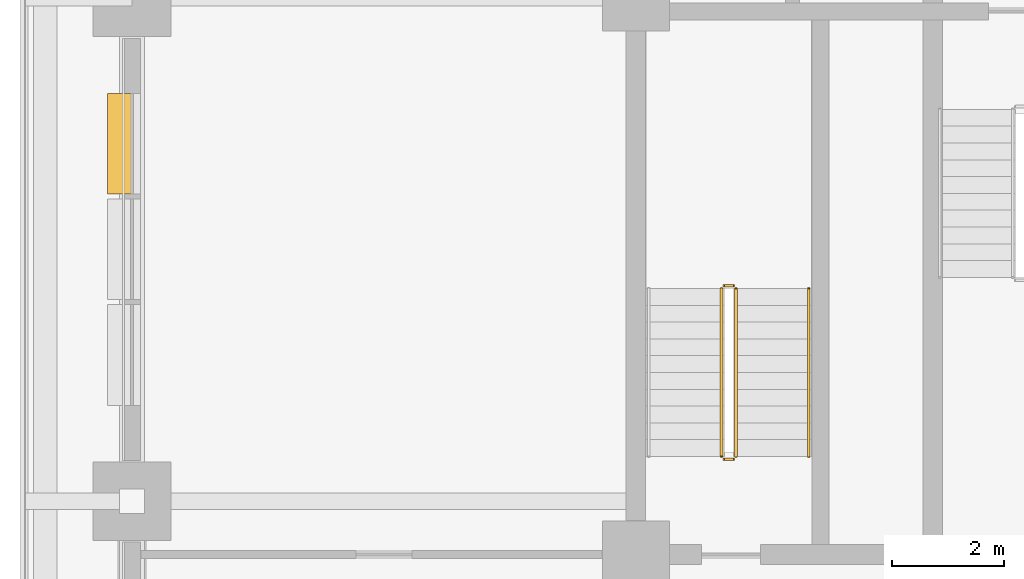
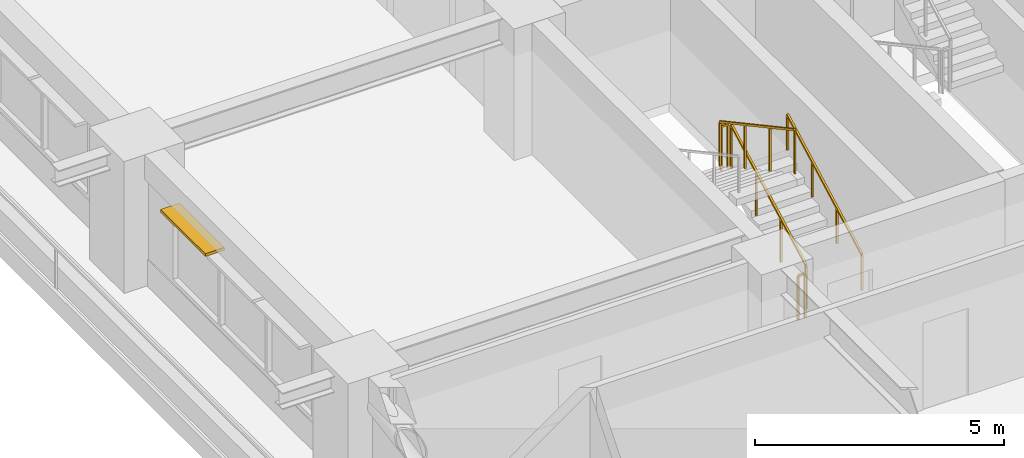
# One storey, part 9 of 16: 5 railings, 1 shading device.
"""IFC4 building model written with IfcOpenShell, lengths in metres."""

from ifc_helpers import new_model, si_unit, direction, frame, frame_2d, origin, origin_2d, place, context, subcontext, project, spatial, rectangle, extrude, material, layer, layer_set, type_object, element, save


model = new_model("IFC4")

# Units and contexts
model_context = context("Model", 3, precision=1e-05, world=origin(), true_north=direction((0.0, 1.0)))
body_context = subcontext(model_context, "Body", "Model", "MODEL_VIEW")
ifc_project = project(units=[si_unit("LENGTHUNIT", "METRE"), si_unit("AREAUNIT", "SQUARE_METRE"), si_unit("VOLUMEUNIT", "CUBIC_METRE"), si_unit("PLANEANGLEUNIT", "RADIAN"), si_unit("MASSUNIT", "GRAM", prefix="KILO")], contexts=[model_context])

# Site, building, storey
site_placement = place(None, origin())
site = spatial("IfcSite", under=ifc_project, at=site_placement, CompositionType="ELEMENT")
building_placement = place(site_placement, origin())
building = spatial("IfcBuilding", under=site, at=building_placement, Name="Zulmaris Gate Convention Tower", CompositionType="ELEMENT")
storey_placement = place(building_placement, frame((0.0, 0.0, 67.89990234375)))
storey = spatial("IfcBuildingStorey", under=building, at=storey_placement, Name="L16", CompositionType="ELEMENT", Elevation=67.89990234375)

# Railings
ifc_material_1 = material(Name="Painted Galvanised Steel", Category="steel")
railing_type_1 = type_object("IfcRailingType", Name="RL-STG-1150", PredefinedType="GUARDRAIL", material=ifc_material_1)
railing_1_placement = place(storey_placement, frame((-18.2099609375, -8.199951171875, 0.162353515625)))
element("IfcRailing", 1, at=railing_1_placement, inside=storey, type_object=railing_type_1, Name="L16 ST-3 stair guard 1", PredefinedType="GUARDRAIL", context=body_context, shape_type="SweptSolid", body=[
    extrude(rectangle(XDim=0.048095703125, YDim=0.048095703125, at=origin_2d()), frame((0.0, 0.0, 1.076171875), z_axis=(0.0, 0.8795616155, 0.475784998228), x_axis=(-1.0, 0.0, 0.0)), (0.0, 0.0, 1.0), 3.410888671875),
    extrude(rectangle(XDim=0.0419921875, YDim=0.0419921875, at=origin_2d()), origin(), (0.0, 0.0, 1.0), 1.052001953125),
    extrude(rectangle(XDim=0.0419921875, YDim=0.0419921875, at=origin_2d()), frame((0.0, 1.0, 0.541015625)), (0.0, 0.0, 1.0), 1.052001953125),
    extrude(rectangle(XDim=0.0419921875, YDim=0.0419921875, at=origin_2d()), frame((0.0, 2.0, 1.081787109375)), (0.0, 0.0, 1.0), 1.052001953125),
    extrude(rectangle(XDim=0.0419921875, YDim=0.0419921875, at=origin_2d()), frame((0.0, 3.0, 1.622802734375)), (0.0, 0.0, 1.0), 1.052001953125),
])
railing_2_placement = place(storey_placement, frame((-18.260009765625, -5.14990234375, 1.78515625)))
element("IfcRailing", 2, at=railing_2_placement, inside=storey, type_object=railing_type_1, Name="L16 ST-3 stair guard 2", PredefinedType="GUARDRAIL", context=body_context, shape_type="SweptSolid", body=[
    extrude(rectangle(XDim=0.048095703125, YDim=0.048095703125, at=origin_2d()), frame((0.0, 0.0, 1.076171875), z_axis=(-1.0, 0.0, 0.0), x_axis=(0.0, -1.0, 0.0)), (0.0, 0.0, 1.0), 0.159912109375),
    extrude(rectangle(XDim=0.0419921875, YDim=0.0419921875, at=origin_2d()), origin(), (0.0, 0.0, 1.0), 1.052001953125),
    extrude(rectangle(XDim=0.0419921875, YDim=0.0419921875, at=origin_2d()), frame((-0.159912109375, 0.0, 0.0)), (0.0, 0.0, 1.0), 1.052001953125),
])
railing_3_placement = place(storey_placement, frame((-18.469970703125, -5.199951171875, 1.947265625)))
element("IfcRailing", 3, at=railing_3_placement, inside=storey, type_object=railing_type_1, Name="L16 ST-3 stair guard 3", PredefinedType="GUARDRAIL", context=body_context, shape_type="SweptSolid", body=[
    extrude(rectangle(XDim=0.048095703125, YDim=0.048095703125, at=origin_2d()), frame((0.0, 0.0, 1.076171875), z_axis=(0.0, -0.8795616155, 0.475784998228), x_axis=(1.0, 0.0, 0.0)), (0.0, 0.0, 1.0), 3.410888671875),
    extrude(rectangle(XDim=0.0419921875, YDim=0.0419921875, at=origin_2d()), origin(), (0.0, 0.0, 1.0), 1.052001953125),
    extrude(rectangle(XDim=0.0419921875, YDim=0.0419921875, at=origin_2d()), frame((0.0, -1.0, 0.541015625)), (0.0, 0.0, 1.0), 1.052001953125),
    extrude(rectangle(XDim=0.0419921875, YDim=0.0419921875, at=origin_2d()), frame((0.0, -2.0, 1.081787109375)), (0.0, 0.0, 1.0), 1.052001953125),
    extrude(rectangle(XDim=0.0419921875, YDim=0.0419921875, at=origin_2d()), frame((0.0, -3.0, 1.622802734375)), (0.0, 0.0, 1.0), 1.052001953125),
])
railing_4_placement = place(storey_placement, frame((-18.260009765625, -8.25, 0.0)))
element("IfcRailing", 4, at=railing_4_placement, inside=storey, type_object=railing_type_1, Name="L16 ST-3 stair guard 4", PredefinedType="GUARDRAIL", context=body_context, shape_type="SweptSolid", body=[
    extrude(rectangle(XDim=0.048095703125, YDim=0.048095703125, at=origin_2d()), frame((0.0, 0.0, 1.076171875), z_axis=(-1.0, 0.0, 0.0), x_axis=(0.0, -1.0, 0.0)), (0.0, 0.0, 1.0), 0.159912109375),
    extrude(rectangle(XDim=0.0419921875, YDim=0.0419921875, at=origin_2d()), origin(), (0.0, 0.0, 1.0), 1.052001953125),
    extrude(rectangle(XDim=0.0419921875, YDim=0.0419921875, at=origin_2d()), frame((-0.159912109375, 0.0, 0.0)), (0.0, 0.0, 1.0), 1.052001953125),
])
ifc_material_2 = material(Name="Brushed Stainless Steel", Category="steel")
railing_type_2 = type_object("IfcRailingType", Name="RL-STH-900", PredefinedType="HANDRAIL", material=ifc_material_2)
railing_5_placement = place(storey_placement, frame((-16.909912109375, -8.199951171875, 0.162353515625)))
element("IfcRailing", 5, at=railing_5_placement, inside=storey, type_object=railing_type_2, Name="L16 ST-3 stair handrail 1", PredefinedType="HANDRAIL", context=body_context, shape_type="SweptSolid", body=[
    extrude(rectangle(XDim=0.048095703125, YDim=0.048095703125, at=origin_2d()), frame((0.0, 0.0, 0.8759765625), z_axis=(0.0, 0.8795616155, 0.475784998228), x_axis=(-1.0, 0.0, 0.0)), (0.0, 0.0, 1.0), 3.410888671875),
    extrude(rectangle(XDim=0.0419921875, YDim=0.0419921875, at=origin_2d()), origin(), (0.0, 0.0, 1.0), 0.851806640625),
    extrude(rectangle(XDim=0.0419921875, YDim=0.0419921875, at=origin_2d()), frame((0.0, 1.0, 0.541015625)), (0.0, 0.0, 1.0), 0.851806640625),
    extrude(rectangle(XDim=0.0419921875, YDim=0.0419921875, at=origin_2d()), frame((0.0, 2.0, 1.081787109375)), (0.0, 0.0, 1.0), 0.851806640625),
    extrude(rectangle(XDim=0.0419921875, YDim=0.0419921875, at=origin_2d()), frame((0.0, 3.0, 1.622802734375)), (0.0, 0.0, 1.0), 0.851806640625),
])

# Shading device
ifc_material_3 = material(Name="Glazed Ceramic Terracotta", Category="masonry")
ifc_layer = layer(ifc_material_3, 0.070068359375, Name="Glazed Ceramic Terracotta")
ifc_layer_set = layer_set([ifc_layer], Name="Glazed Ceramic Terracotta")
shading_device_type = type_object("IfcShadingDeviceType", Name="SHD-SUNSHADE-TC", PredefinedType="AWNING", material=ifc_layer_set)
shading_device_placement = place(storey_placement, frame((-29.219970703125, -1.715087890625, 2.530029296875), z_axis=(0.0, 0.0, 1.0), x_axis=(0.0, -1.0, 0.0)))
element("IfcShadingDevice", 6, at=shading_device_placement, inside=storey, type_object=shading_device_type, Name="SHD-EW-L16-W-1_0-1", PredefinedType="AWNING", context=body_context, shape_type="SweptSolid", body=[
    extrude(rectangle(XDim=1.7998046875, YDim=0.43994140625, at=frame_2d((0.89990234375, 0.0))), origin(), (0.0, 0.0, 1.0), 0.070068359375),
])

save(model, "model.ifc")
